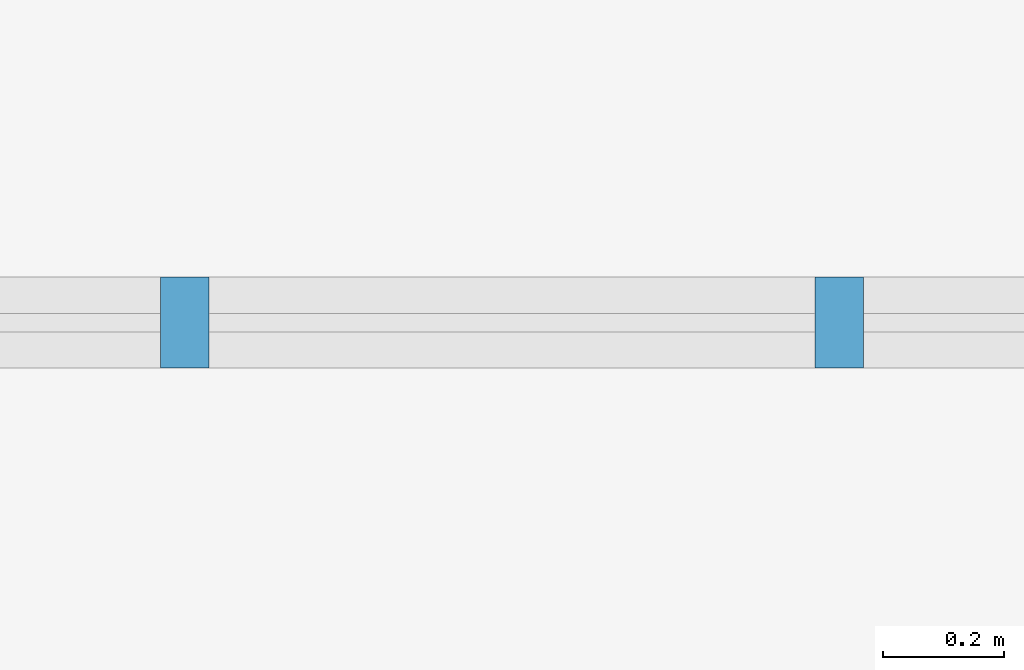
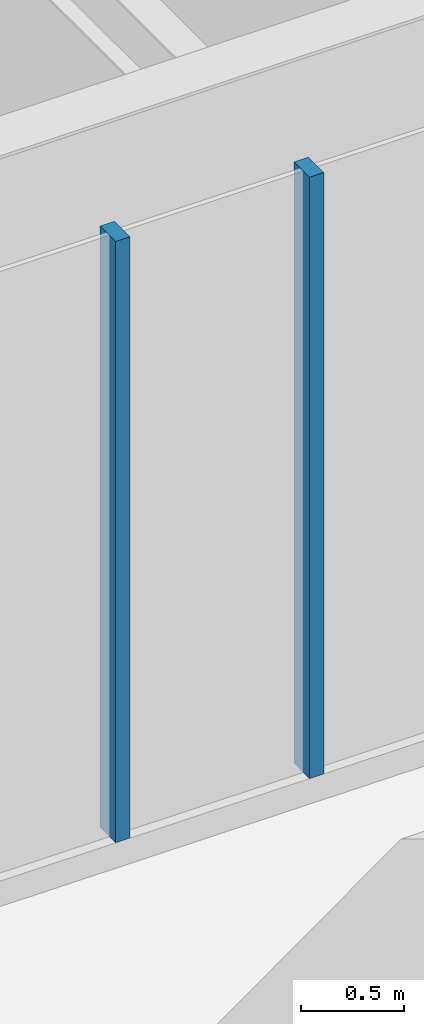
# One storey, part 4 of 32: 2 members, 1 element without a shape of its own.
"""IFC4 building model written with IfcOpenShell, lengths in metres."""

from ifc_helpers import new_model, si_unit, direction, frame, origin, origin_2d, place, context, subcontext, project, spatial, rectangle, extrude, material, layer, layer_set, material_profile, profile_set, type_object, element, aggregate, save


model = new_model("IFC4")

# Units and contexts
model_context = context("Model", 3, precision=1e-05, world=origin(), true_north=direction((0.0, 1.0)))
body_context = subcontext(model_context, "Body", "Model", "MODEL_VIEW")
ifc_project = project(units=[si_unit("LENGTHUNIT", "METRE"), si_unit("AREAUNIT", "SQUARE_METRE"), si_unit("VOLUMEUNIT", "CUBIC_METRE"), si_unit("PLANEANGLEUNIT", "RADIAN"), si_unit("MASSUNIT", "GRAM", prefix="KILO")], contexts=[model_context])

# Site, building, storey
site_placement = place(None, origin())
site = spatial("IfcSite", under=ifc_project, at=site_placement, CompositionType="ELEMENT")
building_placement = place(site_placement, origin())
building = spatial("IfcBuilding", under=site, at=building_placement, Name="Firuza Gate Tower and Library", CompositionType="ELEMENT")
storey_placement = place(building_placement, frame((0.0, 0.0, 163.60009765625)))
storey = spatial("IfcBuildingStorey", under=building, at=storey_placement, Name="L37", CompositionType="ELEMENT", Elevation=163.60009765625)

# Curtain wall, members
ifc_material_1 = material(Name="Aluminium 6063-T6", Category="aluminium")
ifc_layer = layer(ifc_material_1, 0.14990234375)
ifc_layer_set = layer_set([ifc_layer], Name="Unitised curtain wall, hotel")
curtain_wall_type = type_object("IfcCurtainWallType", Name="Unitised curtain wall, hotel", PredefinedType="NOTDEFINED", material=ifc_layer_set)
curtain_wall_placement = place(storey_placement, origin())
curtain_wall = element("IfcCurtainWall", 1, at=curtain_wall_placement, inside=storey, type_object=curtain_wall_type, Name="CW2 L37 S face", PredefinedType="NOTDEFINED")
ifc_material_2 = material(Name="Aluminium 6063-T6", Category="aluminium")
ifc_material_profile = material_profile(ifc_material_2, rectangle(XDim=0.14990234375, YDim=0.080078125, at=origin_2d()))
ifc_profile_set = profile_set([ifc_material_profile], Name="Aluminium 6063-T6")
member_type = type_object("IfcMemberType", Name="Curtain wall mullion 80x150", PredefinedType="MULLION", material=ifc_profile_set)
member_1_placement = place(storey_placement, frame((78.022705078125, 55.086181640625, 0.14990234375), z_axis=(0.0, 0.0, 1.0), x_axis=(0.0, 1.0, 0.0)))
member_1 = element("IfcMember", 2, at=member_1_placement, type_object=member_type, Name="Mullion", PredefinedType="MULLION", context=body_context, shape_type="SweptSolid", body=[
    extrude(rectangle(XDim=0.14990234375, YDim=0.080078125, at=origin_2d()), origin(), (0.0, 0.0, 1.0), 3.550048828125),
])
member_2_placement = place(storey_placement, frame((76.94140625, 55.086181640625, 0.14990234375), z_axis=(0.0, 0.0, 1.0), x_axis=(0.0, 1.0, 0.0)))
member_2 = element("IfcMember", 3, at=member_2_placement, type_object=member_type, Name="Mullion", PredefinedType="MULLION", context=body_context, shape_type="SweptSolid", body=[
    extrude(rectangle(XDim=0.14990234375, YDim=0.080078125, at=origin_2d()), origin(), (0.0, 0.0, 1.0), 3.550048828125),
])
aggregate(curtain_wall, [member_1, member_2])

save(model, "model.ifc")
